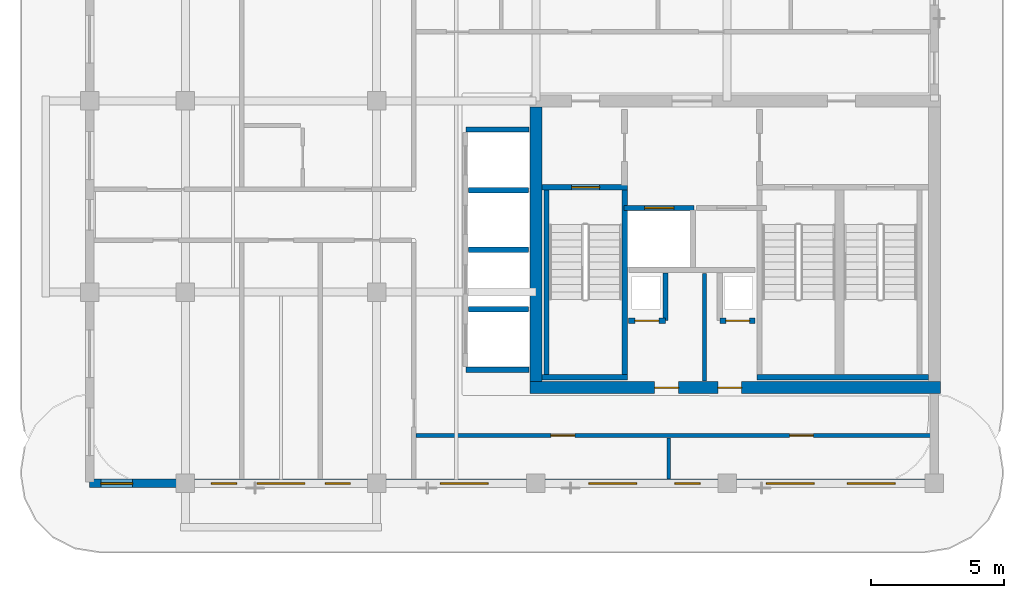
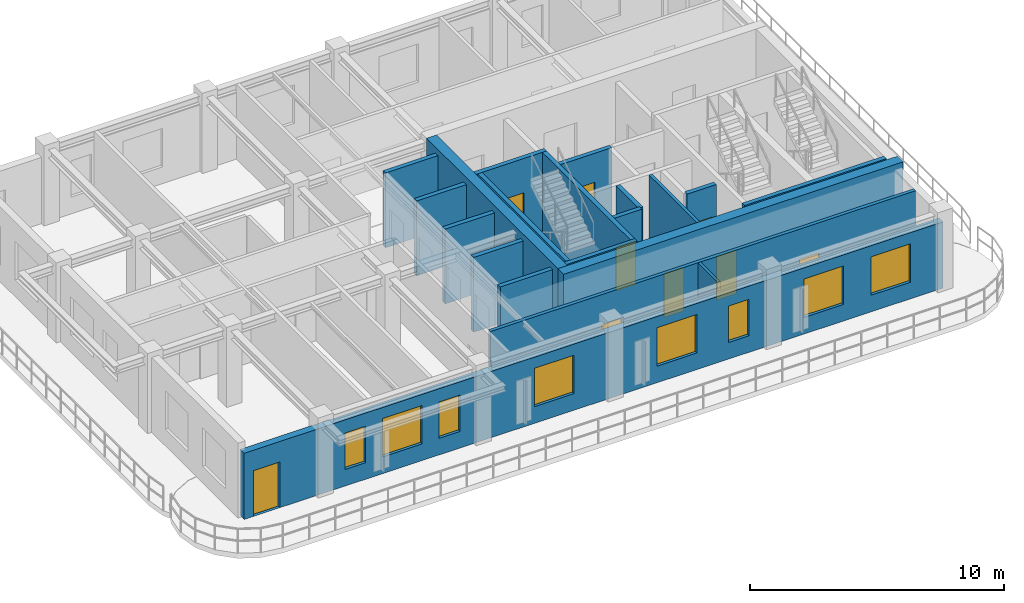
# One storey, part 3 of 8: 20 walls, 9 doors, 8 windows, 17 openings.
"""IFC4 building model written with IfcOpenShell, lengths in metres."""

from ifc_helpers import new_model, si_unit, derived_unit, direction, frame, frame_2d, origin, place, context, subcontext, project, spatial, rectangle, extrude, source, transform, mapped, material, layer, layer_set, type_object, type_shapes, element, fill, save


model = new_model("IFC4")

# Units and contexts
model_context = context("Model", 3, precision=1e-05, world=origin(), true_north=direction((0.0, 1.0)))
body_context = subcontext(model_context, "Body", "Model", "MODEL_VIEW")
ifc_project = project(units=[si_unit("LENGTHUNIT", "METRE"), si_unit("AREAUNIT", "SQUARE_METRE"), si_unit("VOLUMEUNIT", "CUBIC_METRE"), si_unit("PLANEANGLEUNIT", "RADIAN"), si_unit("MASSUNIT", "GRAM", prefix="KILO"), si_unit("THERMODYNAMICTEMPERATUREUNIT", "KELVIN"), si_unit("POWERUNIT", "WATT"), derived_unit("THERMALTRANSMITTANCEUNIT", [(si_unit("POWERUNIT", "WATT"), 1), (si_unit("AREAUNIT", "SQUARE_METRE"), -1), (si_unit("THERMODYNAMICTEMPERATUREUNIT", "KELVIN"), -1)])], contexts=[model_context])

# Site, building, storey
site_placement = place(None, origin())
site = spatial("IfcSite", under=ifc_project, at=site_placement, CompositionType="ELEMENT")
building_placement = place(site_placement, origin())
building = spatial("IfcBuilding", under=site, at=building_placement, Name="Zahravan Archway Hotel and Residences", CompositionType="ELEMENT")
storey_placement = place(building_placement, frame((0.0, 0.0, 286.60009765625)))
storey = spatial("IfcBuildingStorey", under=building, at=storey_placement, Name="L72", CompositionType="ELEMENT", Elevation=286.60009765625)

# Wall, openings, doors
ifc_material_1 = material(Name="Concrete C50/60", Category="concrete")
ifc_layer_1 = layer(ifc_material_1, 0.449951171875, Name="Concrete C50/60", Category="concrete")
ifc_layer_set_1 = layer_set([ifc_layer_1], Name="Concrete C50/60")
wall_type_1 = type_object("IfcWallType", Name="CW-CORE-450", PredefinedType="SHEAR", material=ifc_layer_set_1)
wall_1_placement = place(storey_placement, frame((34.574951171875, 3.60009765625, 0.0), z_axis=(0.0, 0.0, 1.0), x_axis=(1.0, 0.0, 0.0)))
wall_1 = element("IfcWall", 1, at=wall_1_placement, inside=storey, type_object=wall_type_1, Name="L72 Core A Shear S Wall 450 mm", PredefinedType="SHEAR", context=body_context, shape_type="SweptSolid", body=[
    extrude(rectangle(XDim=15.449951171875, YDim=0.449951171875, at=frame_2d((7.72509765625, 0.0))), origin(), (0.0, 0.0, 1.0), 3.849853515625),
])
opening_1_placement = place(wall_1_placement, frame((4.695068359375, 0.0, 0.0)))
opening_1 = element("IfcOpeningElement", 2, at=opening_1_placement, cuts=wall_1, Name="Opening FD-R1", PredefinedType="OPENING", context=body_context, shape_type="SweptSolid", body=[
    extrude(rectangle(XDim=0.89990234375, YDim=2.10009765625, at=frame_2d((0.449951171875, 1.050048828125))), frame((0.0, 0.23486328125, 0.0), z_axis=(0.0, -1.0, 0.0), x_axis=(1.0, 0.0, 0.0)), (0.0, 0.0, 1.0), 0.469970703125),
])
opening_2_placement = place(wall_1_placement, frame((7.074951171875, 0.0, 0.0)))
opening_2 = element("IfcOpeningElement", 3, at=opening_2_placement, cuts=wall_1, Name="Opening FD-R1", PredefinedType="OPENING", context=body_context, shape_type="SweptSolid", body=[
    extrude(rectangle(XDim=0.89990234375, YDim=2.10009765625, at=frame_2d((0.449951171875, 1.050048828125))), frame((0.0, 0.23486328125, 0.0), z_axis=(0.0, -1.0, 0.0), x_axis=(1.0, 0.0, 0.0)), (0.0, 0.0, 1.0), 0.469970703125),
])
ifc_material_2 = material(Name="Fire-Rated Painted Steel", Category="steel")
door_type_1 = type_object("IfcDoorType", Name="FD-RISER-900", OperationType="NOTDEFINED", PredefinedType="DOOR", material=ifc_material_2)
shared_shape_1 = source(origin(), body_context, "Body", "SweptSolid", [
    extrude(rectangle(XDim=0.89990234375, YDim=2.10009765625, at=frame_2d((0.449951171875, 1.050048828125))), frame((0.0, 0.02490234375, 0.0), z_axis=(0.0, -1.0, 0.0), x_axis=(1.0, 0.0, 0.0)), (0.0, 0.0, 1.0), 0.050048828125),
])
type_shapes(door_type_1, [shared_shape_1])
door_1_placement = place(opening_1_placement, origin())
door_1 = element("IfcDoor", 4, at=door_1_placement, inside=storey, type_object=door_type_1, Name="L72 Fan Room Door", OperationType="SINGLE_SWING_LEFT", OverallHeight=2.10009765625, OverallWidth=0.89990234375, PredefinedType="DOOR", context=body_context, shape_type="MappedRepresentation", body=[
    mapped(shared_shape_1, transform((0.0, 0.0, 0.0), scale=1.0)),
])
fill(opening_1, door_1)
door_2_placement = place(opening_2_placement, origin())
door_2 = element("IfcDoor", 5, at=door_2_placement, inside=storey, type_object=door_type_1, Name="L72 Sub-Meter Cupboard Door", OperationType="SINGLE_SWING_RIGHT", OverallHeight=2.10009765625, OverallWidth=0.89990234375, PredefinedType="DOOR", context=body_context, shape_type="MappedRepresentation", body=[
    mapped(shared_shape_1, transform((0.0, 0.0, 0.0), scale=1.0)),
])
fill(opening_2, door_2)

# Wall
wall_2_placement = place(storey_placement, frame((34.800048828125, 3.824951171875, 0.0), z_axis=(0.0, 0.0, 1.0), x_axis=(0.0, 1.0, 0.0)))
element("IfcWall", 6, at=wall_2_placement, inside=storey, type_object=wall_type_1, Name="L72 Core A Shear W Wall 450 mm", PredefinedType="SHEAR", context=body_context, shape_type="SweptSolid", body=[
    extrude(rectangle(XDim=10.35009765625, YDim=0.449951171875, at=frame_2d((5.175048828125, 0.0))), origin(), (0.0, 0.0, 1.0), 3.849853515625),
])

# Wall, openings, door, windows
ifc_material_3 = material(Name="Agra Buff Sandstone & Insulated Backup", Category="masonry")
ifc_layer_2 = layer(ifc_material_3, 0.320068359375, Name="Agra Buff Sandstone & Insulated Backup", Category="masonry")
ifc_layer_set_2 = layer_set([ifc_layer_2], Name="Agra Buff Sandstone & Insulated Backup")
wall_type_2 = type_object("IfcWallType", Name="EW-SAND-320", PredefinedType="SOLIDWALL", material=ifc_layer_set_2)
wall_3_placement = place(storey_placement, frame((18.0, 0.0, 0.0), z_axis=(0.0, 0.0, 1.0), x_axis=(1.0, 0.0, 0.0)))
wall_3 = element("IfcWall", 7, at=wall_3_placement, inside=storey, type_object=wall_type_2, Name="L72 Exterior Sandstone Wall WA-S", PredefinedType="SOLIDWALL", context=body_context, shape_type="SweptSolid", body=[
    extrude(rectangle(XDim=31.800048828125, YDim=0.320068359375, at=frame_2d((15.89990234375, 0.0))), origin(), (0.0, 0.0, 1.0), 3.184814453125),
])
opening_3_placement = place(wall_3_placement, frame((0.419921875, 0.0, 0.0)))
opening_3 = element("IfcOpeningElement", 8, at=opening_3_placement, cuts=wall_3, Name="Opening ED-BL1", PredefinedType="OPENING", context=body_context, shape_type="SweptSolid", body=[
    extrude(rectangle(XDim=1.199951171875, YDim=2.199951171875, at=frame_2d((0.60009765625, 1.10009765625))), frame((0.0, 0.169921875, 0.0), z_axis=(0.0, -1.0, 0.0), x_axis=(1.0, 0.0, 0.0)), (0.0, 0.0, 1.0), 0.340087890625),
])
opening_4_placement = place(wall_3_placement, frame((4.5810546875, 0.0, 0.800048828125)))
opening_4 = element("IfcOpeningElement", 9, at=opening_4_placement, cuts=wall_3, Name="Opening W-04", PredefinedType="OPENING", context=body_context, shape_type="SweptSolid", body=[
    extrude(rectangle(XDim=0.949951171875, YDim=1.75, at=frame_2d((0.47509765625, 0.875))), frame((0.0, 0.169921875, 0.0), z_axis=(0.0, -1.0, 0.0), x_axis=(1.0, 0.0, 0.0)), (0.0, 0.0, 1.0), 0.340087890625),
])
opening_5_placement = place(wall_3_placement, frame((6.300048828125, 0.0, 0.800048828125)))
opening_5 = element("IfcOpeningElement", 10, at=opening_5_placement, cuts=wall_3, Name="Opening W-02", PredefinedType="OPENING", context=body_context, shape_type="SweptSolid", body=[
    extrude(rectangle(XDim=1.800048828125, YDim=1.85009765625, at=frame_2d((0.89990234375, 0.925048828125))), frame((0.0, 0.169921875, 0.0), z_axis=(0.0, -1.0, 0.0), x_axis=(1.0, 0.0, 0.0)), (0.0, 0.0, 1.0), 0.340087890625),
])
opening_6_placement = place(wall_3_placement, frame((8.868896484375, 0.0, 0.800048828125)))
opening_6 = element("IfcOpeningElement", 11, at=opening_6_placement, cuts=wall_3, Name="Opening W-04", PredefinedType="OPENING", context=body_context, shape_type="SweptSolid", body=[
    extrude(rectangle(XDim=0.949951171875, YDim=1.75, at=frame_2d((0.47509765625, 0.875))), frame((0.0, 0.169921875, 0.0), z_axis=(0.0, -1.0, 0.0), x_axis=(1.0, 0.0, 0.0)), (0.0, 0.0, 1.0), 0.340087890625),
])
opening_7_placement = place(wall_3_placement, frame((13.2041015625, 0.0, 0.800048828125)))
opening_7 = element("IfcOpeningElement", 12, at=opening_7_placement, cuts=wall_3, Name="Opening W-02", PredefinedType="OPENING", context=body_context, shape_type="SweptSolid", body=[
    extrude(rectangle(XDim=1.800048828125, YDim=1.85009765625, at=frame_2d((0.89990234375, 0.925048828125))), frame((0.0, 0.169921875, 0.0), z_axis=(0.0, -1.0, 0.0), x_axis=(1.0, 0.0, 0.0)), (0.0, 0.0, 1.0), 0.340087890625),
])
opening_8_placement = place(wall_3_placement, frame((18.7958984375, 0.0, 0.800048828125)))
opening_8 = element("IfcOpeningElement", 13, at=opening_8_placement, cuts=wall_3, Name="Opening W-02", PredefinedType="OPENING", context=body_context, shape_type="SweptSolid", body=[
    extrude(rectangle(XDim=1.800048828125, YDim=1.85009765625, at=frame_2d((0.89990234375, 0.925048828125))), frame((0.0, 0.169921875, 0.0), z_axis=(0.0, -1.0, 0.0), x_axis=(1.0, 0.0, 0.0)), (0.0, 0.0, 1.0), 0.340087890625),
])
opening_9_placement = place(wall_3_placement, frame((22.029052734375, 0.0, 0.800048828125)))
opening_9 = element("IfcOpeningElement", 14, at=opening_9_placement, cuts=wall_3, Name="Opening W-04", PredefinedType="OPENING", context=body_context, shape_type="SweptSolid", body=[
    extrude(rectangle(XDim=0.949951171875, YDim=1.75, at=frame_2d((0.47509765625, 0.875))), frame((0.0, 0.169921875, 0.0), z_axis=(0.0, -1.0, 0.0), x_axis=(1.0, 0.0, 0.0)), (0.0, 0.0, 1.0), 0.340087890625),
])
opening_10_placement = place(wall_3_placement, frame((25.47509765625, 0.0, 0.800048828125)))
opening_10 = element("IfcOpeningElement", 15, at=opening_10_placement, cuts=wall_3, Name="Opening W-02", PredefinedType="OPENING", context=body_context, shape_type="SweptSolid", body=[
    extrude(rectangle(XDim=1.800048828125, YDim=1.85009765625, at=frame_2d((0.89990234375, 0.925048828125))), frame((0.0, 0.169921875, 0.0), z_axis=(0.0, -1.0, 0.0), x_axis=(1.0, 0.0, 0.0)), (0.0, 0.0, 1.0), 0.340087890625),
])
opening_11_placement = place(wall_3_placement, frame((28.52490234375, 0.0, 0.800048828125)))
opening_11 = element("IfcOpeningElement", 16, at=opening_11_placement, cuts=wall_3, Name="Opening W-02", PredefinedType="OPENING", context=body_context, shape_type="SweptSolid", body=[
    extrude(rectangle(XDim=1.800048828125, YDim=1.85009765625, at=frame_2d((0.89990234375, 0.925048828125))), frame((0.0, 0.169921875, 0.0), z_axis=(0.0, -1.0, 0.0), x_axis=(1.0, 0.0, 0.0)), (0.0, 0.0, 1.0), 0.340087890625),
])
ifc_material_4 = material(Name="Bronze-Anodized Glazed Aluminium", Category="aluminium")
door_type_2 = type_object("IfcDoorType", Name="ED-BALC-1200", OperationType="SLIDING_TO_LEFT", PredefinedType="DOOR", material=ifc_material_4)
shared_shape_2 = source(origin(), body_context, "Body", "SweptSolid", [
    extrude(rectangle(XDim=1.199951171875, YDim=2.199951171875, at=frame_2d((0.60009765625, 1.10009765625))), frame((0.0, 0.02490234375, 0.0), z_axis=(0.0, -1.0, 0.0), x_axis=(1.0, 0.0, 0.0)), (0.0, 0.0, 1.0), 0.050048828125),
])
type_shapes(door_type_2, [shared_shape_2])
door_3_placement = place(opening_3_placement, origin())
door_3 = element("IfcDoor", 17, at=door_3_placement, inside=storey, type_object=door_type_2, Name="L72 Outdoor Access Sliding Door (SLB-BAL-L72-SA)", OperationType="SLIDING_TO_LEFT", OverallHeight=2.199951171875, OverallWidth=1.199951171875, PredefinedType="DOOR", context=body_context, shape_type="MappedRepresentation", body=[
    mapped(shared_shape_2, transform((0.0, 0.0, 0.0), scale=1.0)),
])
fill(opening_3, door_3)
ifc_material_5 = material(Name="Bronze-Anodized Thermal-Break Aluminium & Low-E Glass", Category="aluminium")
window_type_1 = type_object("IfcWindowType", Name="WIN-NAR-950", PartitioningType="SINGLE_PANEL", PredefinedType="WINDOW", material=ifc_material_5)
shared_shape_3 = source(origin(), body_context, "Body", "SweptSolid", [
    extrude(rectangle(XDim=0.949951171875, YDim=1.75, at=frame_2d((0.47509765625, 0.875))), frame((0.0, 0.030029296875, 0.0), z_axis=(0.0, -1.0, 0.0), x_axis=(1.0, 0.0, 0.0)), (0.0, 0.0, 1.0), 0.06005859375),
])
type_shapes(window_type_1, [shared_shape_3])
window_1_placement = place(opening_4_placement, origin())
window_1 = element("IfcWindow", 18, at=window_1_placement, inside=storey, type_object=window_type_1, Name="L72 Loggia Window 01", OverallHeight=1.75, OverallWidth=0.949951171875, PartitioningType="SINGLE_PANEL", PredefinedType="WINDOW", context=body_context, shape_type="MappedRepresentation", body=[
    mapped(shared_shape_3, transform((0.0, 0.0, 0.0), scale=1.0)),
])
fill(opening_4, window_1)
window_2_placement = place(opening_6_placement, origin())
window_2 = element("IfcWindow", 19, at=window_2_placement, inside=storey, type_object=window_type_1, Name="L72 Loggia Window 03", OverallHeight=1.75, OverallWidth=0.949951171875, PartitioningType="SINGLE_PANEL", PredefinedType="WINDOW", context=body_context, shape_type="MappedRepresentation", body=[
    mapped(shared_shape_3, transform((0.0, 0.0, 0.0), scale=1.0)),
])
fill(opening_6, window_2)
window_3_placement = place(opening_9_placement, origin())
window_3 = element("IfcWindow", 20, at=window_3_placement, inside=storey, type_object=window_type_1, Name="L72 Loggia Window 06", OverallHeight=1.75, OverallWidth=0.949951171875, PartitioningType="SINGLE_PANEL", PredefinedType="WINDOW", context=body_context, shape_type="MappedRepresentation", body=[
    mapped(shared_shape_3, transform((0.0, 0.0, 0.0), scale=1.0)),
])
fill(opening_9, window_3)
window_type_2 = type_object("IfcWindowType", Name="WIN-TWR-1800", PartitioningType="DOUBLE_PANEL_VERTICAL", PredefinedType="WINDOW", material=ifc_material_5)
shared_shape_4 = source(origin(), body_context, "Body", "SweptSolid", [
    extrude(rectangle(XDim=1.800048828125, YDim=1.85009765625, at=frame_2d((0.89990234375, 0.925048828125))), frame((0.0, 0.030029296875, 0.0), z_axis=(0.0, -1.0, 0.0), x_axis=(1.0, 0.0, 0.0)), (0.0, 0.0, 1.0), 0.06005859375),
])
type_shapes(window_type_2, [shared_shape_4])
window_4_placement = place(opening_5_placement, origin())
window_4 = element("IfcWindow", 21, at=window_4_placement, inside=storey, type_object=window_type_2, Name="L72 Loggia Window 02", OverallHeight=1.85009765625, OverallWidth=1.800048828125, PartitioningType="DOUBLE_PANEL_VERTICAL", PredefinedType="WINDOW", context=body_context, shape_type="MappedRepresentation", body=[
    mapped(shared_shape_4, transform((0.0, 0.0, 0.0), scale=1.0)),
])
fill(opening_5, window_4)
window_5_placement = place(opening_7_placement, origin())
window_5 = element("IfcWindow", 22, at=window_5_placement, inside=storey, type_object=window_type_2, Name="L72 Loggia Window 04", OverallHeight=1.85009765625, OverallWidth=1.800048828125, PartitioningType="DOUBLE_PANEL_VERTICAL", PredefinedType="WINDOW", context=body_context, shape_type="MappedRepresentation", body=[
    mapped(shared_shape_4, transform((0.0, 0.0, 0.0), scale=1.0)),
])
fill(opening_7, window_5)
window_6_placement = place(opening_8_placement, origin())
window_6 = element("IfcWindow", 23, at=window_6_placement, inside=storey, type_object=window_type_2, Name="L72 Loggia Window 05", OverallHeight=1.85009765625, OverallWidth=1.800048828125, PartitioningType="DOUBLE_PANEL_VERTICAL", PredefinedType="WINDOW", context=body_context, shape_type="MappedRepresentation", body=[
    mapped(shared_shape_4, transform((0.0, 0.0, 0.0), scale=1.0)),
])
fill(opening_8, window_6)
window_7_placement = place(opening_10_placement, origin())
window_7 = element("IfcWindow", 24, at=window_7_placement, inside=storey, type_object=window_type_2, Name="L72 Loggia Window 07", OverallHeight=1.85009765625, OverallWidth=1.800048828125, PartitioningType="DOUBLE_PANEL_VERTICAL", PredefinedType="WINDOW", context=body_context, shape_type="MappedRepresentation", body=[
    mapped(shared_shape_4, transform((0.0, 0.0, 0.0), scale=1.0)),
])
fill(opening_10, window_7)
window_8_placement = place(opening_11_placement, origin())
window_8 = element("IfcWindow", 25, at=window_8_placement, inside=storey, type_object=window_type_2, Name="L72 Loggia Window 08", OverallHeight=1.85009765625, OverallWidth=1.800048828125, PartitioningType="DOUBLE_PANEL_VERTICAL", PredefinedType="WINDOW", context=body_context, shape_type="MappedRepresentation", body=[
    mapped(shared_shape_4, transform((0.0, 0.0, 0.0), scale=1.0)),
])
fill(opening_11, window_8)

# Wall, openings, doors
ifc_material_6 = material(Name="Fire-Rated Gypsum & Concrete Block", Category="concrete")
ifc_layer_3 = layer(ifc_material_6, 0.159912109375, Name="Fire-Rated Gypsum & Concrete Block", Category="concrete")
ifc_layer_set_3 = layer_set([ifc_layer_3], Name="Fire-Rated Gypsum & Concrete Block")
wall_type_3 = type_object("IfcWallType", Name="PW-CORR-160", PredefinedType="PARTITIONING", material=ifc_layer_set_3)
wall_4_placement = place(storey_placement, frame((30.2900390625, 1.800048828125, 0.0), z_axis=(0.0, 0.0, 1.0), x_axis=(1.0, 0.0, 0.0)))
wall_4 = element("IfcWall", 26, at=wall_4_placement, inside=storey, type_object=wall_type_3, Name="L72 Partition WA-SRS", PredefinedType="PARTITIONING", context=body_context, shape_type="SweptSolid", body=[
    extrude(rectangle(XDim=19.369873046875, YDim=0.159912109375, at=frame_2d((9.68505859375, 0.0))), origin(), (0.0, 0.0, 1.0), 3.599853515625),
])
opening_12_placement = place(wall_4_placement, frame((5.07421875, 0.0, 0.0)))
opening_12 = element("IfcOpeningElement", 27, at=opening_12_placement, cuts=wall_4, Name="Opening D-I2", PredefinedType="OPENING", context=body_context, shape_type="SweptSolid", body=[
    extrude(rectangle(XDim=0.89990234375, YDim=2.14990234375, at=frame_2d((0.449951171875, 1.074951171875))), frame((0.0, 0.08984375, 0.0), z_axis=(0.0, -1.0, 0.0), x_axis=(1.0, 0.0, 0.0)), (0.0, 0.0, 1.0), 0.179931640625),
])
opening_13_placement = place(wall_4_placement, frame((14.06005859375, 0.0, 0.0)))
opening_13 = element("IfcOpeningElement", 28, at=opening_13_placement, cuts=wall_4, Name="Opening D-I2", PredefinedType="OPENING", context=body_context, shape_type="SweptSolid", body=[
    extrude(rectangle(XDim=0.89990234375, YDim=2.14990234375, at=frame_2d((0.449951171875, 1.074951171875))), frame((0.0, 0.08984375, 0.0), z_axis=(0.0, -1.0, 0.0), x_axis=(1.0, 0.0, 0.0)), (0.0, 0.0, 1.0), 0.179931640625),
])
ifc_material_7 = material(Name="Hardwood Veneer Timber", Category="wood")
door_type_3 = type_object("IfcDoorType", Name="ID-INT-900", OperationType="NOTDEFINED", PredefinedType="DOOR", material=ifc_material_7)
shared_shape_5 = source(origin(), body_context, "Body", "SweptSolid", [
    extrude(rectangle(XDim=0.89990234375, YDim=2.14990234375, at=frame_2d((0.449951171875, 1.074951171875))), frame((0.0, 0.02490234375, 0.0), z_axis=(0.0, -1.0, 0.0), x_axis=(1.0, 0.0, 0.0)), (0.0, 0.0, 1.0), 0.050048828125),
])
type_shapes(door_type_3, [shared_shape_5])
door_4_placement = place(opening_12_placement, origin())
door_4 = element("IfcDoor", 29, at=door_4_placement, inside=storey, type_object=door_type_3, Name="L72 South Study Door", OperationType="SINGLE_SWING_RIGHT", OverallHeight=2.14990234375, OverallWidth=0.89990234375, PredefinedType="DOOR", context=body_context, shape_type="MappedRepresentation", body=[
    mapped(shared_shape_5, transform((0.0, 0.0, 0.0), scale=1.0)),
])
fill(opening_12, door_4)
door_5_placement = place(opening_13_placement, origin())
door_5 = element("IfcDoor", 30, at=door_5_placement, inside=storey, type_object=door_type_3, Name="L72 South Pantry Door", OperationType="SINGLE_SWING_LEFT", OverallHeight=2.14990234375, OverallWidth=0.89990234375, PredefinedType="DOOR", context=body_context, shape_type="MappedRepresentation", body=[
    mapped(shared_shape_5, transform((0.0, 0.0, 0.0), scale=1.0)),
])
fill(opening_13, door_5)

# Wall
ifc_material_8 = material(Name="Acoustic Stud Partition")
ifc_layer_4 = layer(ifc_material_8, 0.125, Name="Acoustic Stud Partition")
ifc_layer_set_4 = layer_set([ifc_layer_4], Name="Acoustic Stud Partition")
wall_type_4 = type_object("IfcWallType", Name="PW-INT-125", PredefinedType="PARTITIONING", material=ifc_layer_set_4)
wall_5_placement = place(storey_placement, frame((39.800048828125, 0.16796875, 0.0), z_axis=(0.0, 0.0, 1.0), x_axis=(0.0, 1.0, 0.0)))
element("IfcWall", 31, at=wall_5_placement, inside=storey, type_object=wall_type_4, Name="L72 Partition S-DIV1", PredefinedType="PARTITIONING", context=body_context, shape_type="SweptSolid", body=[
    extrude(rectangle(XDim=1.5419921875, YDim=0.125, at=frame_2d((0.77099609375, 0.0))), origin(), (0.0, 0.0, 1.0), 3.599853515625),
])

# Wall, opening, door
ifc_layer_5 = layer(ifc_material_6, 0.199951171875, Name="Fire-Rated Gypsum & Concrete Block", Category="concrete")
ifc_layer_set_5 = layer_set([ifc_layer_5], Name="Fire-Rated Gypsum & Concrete Block")
wall_type_5 = type_object("IfcWallType", Name="PW-SHAFT-200", PredefinedType="PARTITIONING", material=ifc_layer_set_5)
wall_6_placement = place(storey_placement, frame((38.2900390625, 6.1201171875, 0.0), z_axis=(0.0, 0.0, 1.0), x_axis=(1.0, 0.0, 0.0)))
wall_6 = element("IfcWall", 32, at=wall_6_placement, inside=storey, type_object=wall_type_5, Name="L72 Partition CA-SMKS", PredefinedType="PARTITIONING", context=body_context, shape_type="SweptSolid", body=[
    extrude(rectangle(XDim=1.3798828125, YDim=0.199951171875, at=frame_2d((0.68994140625, 0.0))), origin(), (0.0, 0.0, 1.0), 3.599853515625),
])
opening_14_placement = place(wall_6_placement, frame((0.239990234375, 0.0, 0.0)))
opening_14 = element("IfcOpeningElement", 33, at=opening_14_placement, cuts=wall_6, Name="Opening FD-R1", PredefinedType="OPENING", context=body_context, shape_type="SweptSolid", body=[
    extrude(rectangle(XDim=0.89990234375, YDim=2.10009765625, at=frame_2d((0.449951171875, 1.050048828125))), frame((0.0, 0.10986328125, 0.0), z_axis=(0.0, -1.0, 0.0), x_axis=(1.0, 0.0, 0.0)), (0.0, 0.0, 1.0), 0.219970703125),
])
door_6_placement = place(opening_14_placement, origin())
door_6 = element("IfcDoor", 34, at=door_6_placement, inside=storey, type_object=door_type_1, Name="L72 Smoke Riser Access Door", OperationType="SINGLE_SWING_LEFT", OverallHeight=2.10009765625, OverallWidth=0.89990234375, PredefinedType="DOOR", context=body_context, shape_type="MappedRepresentation", body=[
    mapped(shared_shape_1, transform((0.0, 0.0, 0.0), scale=1.0)),
])
fill(opening_14, door_6)

# Wall
wall_7_placement = place(storey_placement, frame((39.679931640625, 6.1298828125, 0.0), z_axis=(0.0, 0.0, 1.0), x_axis=(0.0, 1.0, 0.0)))
element("IfcWall", 35, at=wall_7_placement, inside=storey, type_object=wall_type_5, Name="L72 Partition CA-SMKE", PredefinedType="PARTITIONING", context=body_context, shape_type="SweptSolid", body=[
    extrude(rectangle(XDim=1.7900390625, YDim=0.199951171875, at=frame_2d((0.89501953125, 0.0))), origin(), (0.0, 0.0, 1.0), 3.599853515625),
])

# Wall, opening, door
wall_8_placement = place(storey_placement, frame((41.72998046875, 6.1201171875, 0.0), z_axis=(0.0, 0.0, 1.0), x_axis=(1.0, 0.0, 0.0)))
wall_8 = element("IfcWall", 36, at=wall_8_placement, inside=storey, type_object=wall_type_5, Name="L72 Partition CA-MEPS", PredefinedType="PARTITIONING", context=body_context, shape_type="SweptSolid", body=[
    extrude(rectangle(XDim=1.320068359375, YDim=0.199951171875, at=frame_2d((0.66015625, 0.0))), origin(), (0.0, 0.0, 1.0), 3.599853515625),
])
opening_15_placement = place(wall_8_placement, frame((0.219970703125, 0.0, 0.0)))
opening_15 = element("IfcOpeningElement", 37, at=opening_15_placement, cuts=wall_8, Name="Opening FD-R1", PredefinedType="OPENING", context=body_context, shape_type="SweptSolid", body=[
    extrude(rectangle(XDim=0.89990234375, YDim=2.10009765625, at=frame_2d((0.449951171875, 1.050048828125))), frame((0.0, 0.10986328125, 0.0), z_axis=(0.0, -1.0, 0.0), x_axis=(1.0, 0.0, 0.0)), (0.0, 0.0, 1.0), 0.219970703125),
])
door_7_placement = place(opening_15_placement, origin())
door_7 = element("IfcDoor", 38, at=door_7_placement, inside=storey, type_object=door_type_1, Name="L72 MEP Riser Access Door", OperationType="SINGLE_SWING_RIGHT", OverallHeight=2.10009765625, OverallWidth=0.89990234375, PredefinedType="DOOR", context=body_context, shape_type="MappedRepresentation", body=[
    mapped(shared_shape_1, transform((0.0, 0.0, 0.0), scale=1.0)),
])
fill(opening_15, door_7)

# Walls
for number, where, z_axis, x_axis, name in (
    (39, (32.159912109375, 4.280029296875, 0.0), (0.0, 0.0, 1.0), (1.0, 0.0, 0.0), "L72 Partition B3-S"),
    (40, (32.159912109375, 13.320068359375, 0.0), (0.0, 0.0, 1.0), (1.0, 0.0, 0.0), "L72 Partition B3-N"),
):
    element("IfcWall", number, at=place(storey_placement, frame(where, z_axis=z_axis, x_axis=x_axis)), inside=storey, type_object=wall_type_5, Name=name, PredefinedType="PARTITIONING", context=body_context, shape_type="SweptSolid", body=[
        extrude(rectangle(XDim=2.385009765625, YDim=0.199951171875, at=frame_2d((1.1923828125, 0.0))), origin(), (0.0, 0.0, 1.0), 3.599853515625),
    ])
for number, where, z_axis, x_axis, name in (
    (41, (32.260009765625, 6.56005859375, 0.0), (0.0, 0.0, 1.0), (1.0, 0.0, 0.0), "L72 Partition B3-D"),
    (42, (32.260009765625, 8.800048828125, 0.0), (0.0, 0.0, 1.0), (1.0, 0.0, 0.0), "L72 Partition B3-D"),
    (43, (32.260009765625, 11.0400390625, 0.0), (0.0, 0.0, 1.0), (1.0, 0.0, 0.0), "L72 Partition B3-D"),
):
    element("IfcWall", number, at=place(storey_placement, frame(where, z_axis=z_axis, x_axis=x_axis)), inside=storey, type_object=wall_type_5, Name=name, PredefinedType="PARTITIONING", context=body_context, shape_type="SweptSolid", body=[
        extrude(rectangle(XDim=2.2548828125, YDim=0.199951171875, at=frame_2d((1.12744140625, 0.0))), origin(), (0.0, 0.0, 1.0), 3.599853515625),
    ])

# Wall, opening, door
wall_9_placement = place(storey_placement, frame((38.1201171875, 10.3701171875, 0.0), z_axis=(0.0, 0.0, 1.0), x_axis=(1.0, 0.0, 0.0)))
wall_9 = element("IfcWall", 44, at=wall_9_placement, inside=storey, type_object=wall_type_5, Name="L72 Lift FL-1 Front Wall", PredefinedType="PARTITIONING", context=body_context, shape_type="SweptSolid", body=[
    extrude(rectangle(XDim=2.639892578125, YDim=0.199951171875, at=frame_2d((1.31982421875, 0.0))), origin(), (0.0, 0.0, 1.0), 3.599853515625),
])
opening_16_placement = place(wall_9_placement, frame((0.77001953125, 0.0, 0.0)))
opening_16 = element("IfcOpeningElement", 45, at=opening_16_placement, cuts=wall_9, Name="Opening LD", PredefinedType="OPENING", context=body_context, shape_type="SweptSolid", body=[
    extrude(rectangle(XDim=1.10009765625, YDim=2.199951171875, at=frame_2d((0.550048828125, 1.10009765625))), frame((0.0, 0.10986328125, 0.0), z_axis=(0.0, -1.0, 0.0), x_axis=(1.0, 0.0, 0.0)), (0.0, 0.0, 1.0), 0.219970703125),
])
ifc_material_9 = material(Name="Brushed Stainless Steel", Category="steel")
door_type_4 = type_object("IfcDoorType", Name="DR-LIFT-LD", OperationType="SLIDING_TO_LEFT", PredefinedType="DOOR", material=ifc_material_9)
shared_shape_6 = source(origin(), body_context, "Body", "SweptSolid", [
    extrude(rectangle(XDim=1.10009765625, YDim=2.199951171875, at=frame_2d((0.550048828125, 1.10009765625))), frame((0.0, 0.02490234375, 0.0), z_axis=(0.0, -1.0, 0.0), x_axis=(1.0, 0.0, 0.0)), (0.0, 0.0, 1.0), 0.050048828125),
])
type_shapes(door_type_4, [shared_shape_6])
door_8_placement = place(opening_16_placement, origin())
door_8 = element("IfcDoor", 46, at=door_8_placement, inside=storey, type_object=door_type_4, Name="L72 Lift FL-1 Sliding Landing Door", OperationType="SLIDING_TO_LEFT", OverallHeight=2.199951171875, OverallWidth=1.10009765625, PredefinedType="DOOR", context=body_context, shape_type="MappedRepresentation", body=[
    mapped(shared_shape_6, transform((0.0, 0.0, 0.0), scale=1.0)),
])
fill(opening_16, door_8)

# Walls
ifc_material_10 = material(Name="Moisture-Resistant Blockwork", Category="masonry")
ifc_layer_6 = layer(ifc_material_10, 0.139892578125, Name="Moisture-Resistant Blockwork", Category="masonry")
ifc_layer_set_6 = layer_set([ifc_layer_6], Name="Moisture-Resistant Blockwork")
wall_type_6 = type_object("IfcWallType", Name="PW-WET-140", PredefinedType="PARTITIONING", material=ifc_layer_set_6)
wall_10_placement = place(storey_placement, frame((41.14990234375, 3.844970703125, 0.0), z_axis=(0.0, 0.0, 1.0), x_axis=(0.0, 1.0, 0.0)))
element("IfcWall", 47, at=wall_10_placement, inside=storey, type_object=wall_type_6, Name="L72 Partition CA-CV2V", PredefinedType="PARTITIONING", context=body_context, shape_type="SweptSolid", body=[
    extrude(rectangle(XDim=4.06494140625, YDim=0.139892578125, at=frame_2d((2.032470703125, 0.0))), origin(), (0.0, 0.0, 1.0), 3.599853515625),
])
ifc_layer_7 = layer(ifc_material_1, 0.199951171875, Name="Concrete C50/60", Category="concrete")
ifc_layer_set_7 = layer_set([ifc_layer_7], Name="Concrete C50/60")
wall_type_7 = type_object("IfcWallType", Name="SW-STAIR-200", PredefinedType="SHEAR", material=ifc_layer_set_7)
wall_11_placement = place(storey_placement, frame((35.02490234375, 4.0, 0.0), z_axis=(0.0, 0.0, 1.0), x_axis=(1.0, 0.0, 0.0)))
element("IfcWall", 48, at=wall_11_placement, inside=storey, type_object=wall_type_7, Name="L72 Stairwell RC Wall CA-SA1S", PredefinedType="SHEAR", context=body_context, shape_type="SweptSolid", body=[
    extrude(rectangle(XDim=3.215087890625, YDim=0.199951171875, at=frame_2d((1.607421875, 0.0))), origin(), (0.0, 0.0, 1.0), 3.849853515625),
])
for number, where, z_axis, x_axis, name in (
    (49, (35.199951171875, 4.10009765625, 0.0), (0.0, 0.0, 1.0), (0.0, 1.0, 0.0), "L72 Stairwell RC Wall CA-SA1W"),
    (50, (38.139892578125, 4.10009765625, 0.0), (0.0, 0.0, 1.0), (0.0, 1.0, 0.0), "L72 Stairwell RC Wall CA-SA1E"),
):
    element("IfcWall", number, at=place(storey_placement, frame(where, z_axis=z_axis, x_axis=x_axis)), inside=storey, type_object=wall_type_7, Name=name, PredefinedType="SHEAR", context=body_context, shape_type="SweptSolid", body=[
        extrude(rectangle(XDim=6.949951171875, YDim=0.199951171875, at=frame_2d((3.47509765625, 0.0))), origin(), (0.0, 0.0, 1.0), 3.849853515625),
    ])

# Wall, opening, door
wall_12_placement = place(storey_placement, frame((35.02490234375, 11.14990234375, 0.0), z_axis=(0.0, 0.0, 1.0), x_axis=(1.0, 0.0, 0.0)))
wall_12 = element("IfcWall", 51, at=wall_12_placement, inside=storey, type_object=wall_type_7, Name="L72 Stairwell RC Wall CA-SA1N", PredefinedType="SHEAR", context=body_context, shape_type="SweptSolid", body=[
    extrude(rectangle(XDim=3.215087890625, YDim=0.199951171875, at=frame_2d((1.607421875, 0.0))), origin(), (0.0, 0.0, 1.0), 3.849853515625),
])
opening_17_placement = place(wall_12_placement, frame((1.1201171875, 0.0, 0.0)))
opening_17 = element("IfcOpeningElement", 52, at=opening_17_placement, cuts=wall_12, Name="Opening FD-S1", PredefinedType="OPENING", context=body_context, shape_type="SweptSolid", body=[
    extrude(rectangle(XDim=1.050048828125, YDim=2.199951171875, at=frame_2d((0.52490234375, 1.10009765625))), frame((0.0, 0.10986328125, 0.0), z_axis=(0.0, -1.0, 0.0), x_axis=(1.0, 0.0, 0.0)), (0.0, 0.0, 1.0), 0.219970703125),
])
door_type_5 = type_object("IfcDoorType", Name="FD-STAIR-1100", OperationType="NOTDEFINED", PredefinedType="DOOR", material=ifc_material_2)
shared_shape_7 = source(origin(), body_context, "Body", "SweptSolid", [
    extrude(rectangle(XDim=1.050048828125, YDim=2.199951171875, at=frame_2d((0.52490234375, 1.10009765625))), frame((0.0, 0.02490234375, 0.0), z_axis=(0.0, -1.0, 0.0), x_axis=(1.0, 0.0, 0.0)), (0.0, 0.0, 1.0), 0.050048828125),
])
type_shapes(door_type_5, [shared_shape_7])
door_9_placement = place(opening_17_placement, origin())
door_9 = element("IfcDoor", 53, at=door_9_placement, inside=storey, type_object=door_type_5, Name="L72 Stair ST-A1 Door", OperationType="SINGLE_SWING_RIGHT", OverallHeight=2.199951171875, OverallWidth=1.050048828125, PredefinedType="DOOR", context=body_context, shape_type="MappedRepresentation", body=[
    mapped(shared_shape_7, transform((0.0, 0.0, 0.0), scale=1.0)),
])
fill(opening_17, door_9)

# Wall
wall_13_placement = place(storey_placement, frame((43.1201171875, 4.0, 0.0), z_axis=(0.0, 0.0, 1.0), x_axis=(1.0, 0.0, 0.0)))
element("IfcWall", 54, at=wall_13_placement, inside=storey, type_object=wall_type_7, Name="L72 Stairwell RC Wall CA-SA23S", PredefinedType="SHEAR", context=body_context, shape_type="SweptSolid", body=[
    extrude(rectangle(XDim=6.454833984375, YDim=0.199951171875, at=frame_2d((3.2275390625, 0.0))), origin(), (0.0, 0.0, 1.0), 3.849853515625),
])

save(model, "model.ifc")
